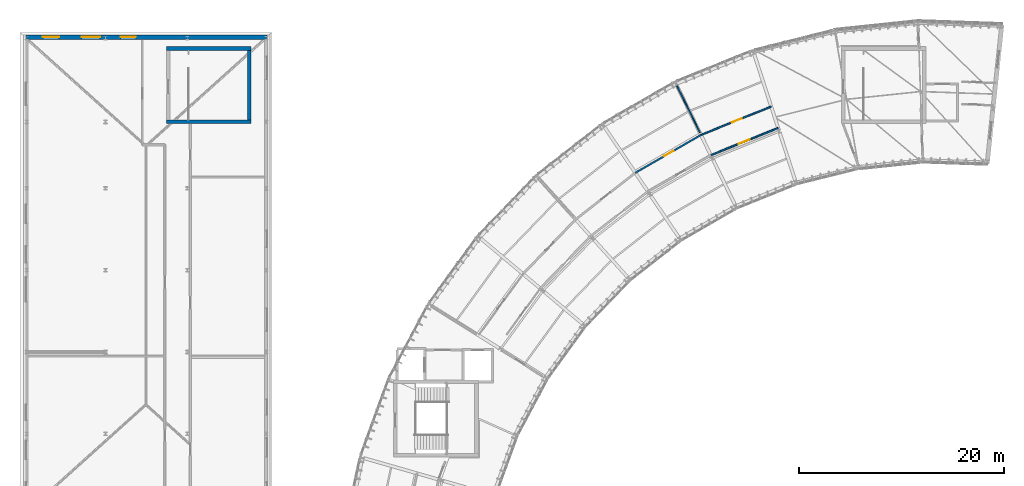
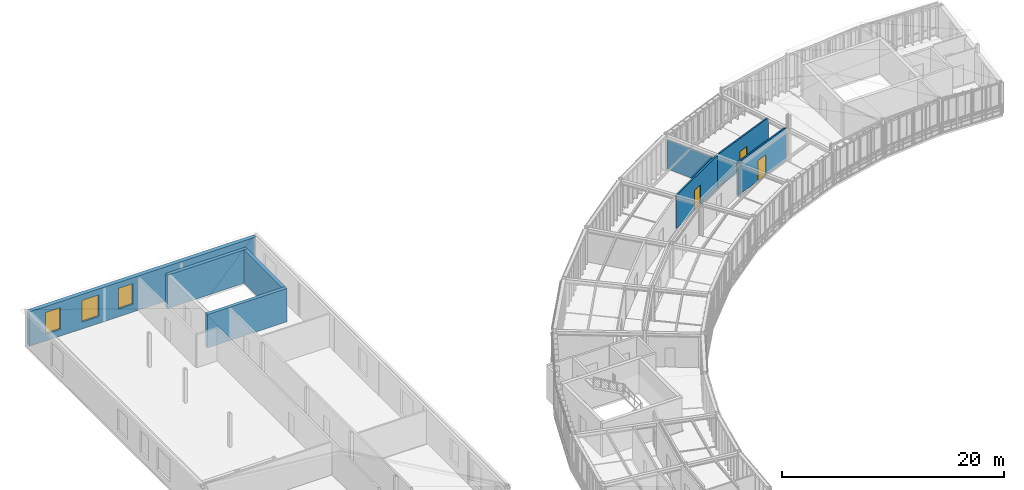
# One storey, part 32 of 42: 8 walls, 3 doors, 3 windows, 6 openings.
"""IFC4 building model written with IfcOpenShell, lengths in metres."""

from ifc_helpers import new_model, si_unit, direction, frame, frame_2d, origin, place, context, subcontext, project, spatial, rectangle, extrude, material, layer, layer_set, type_object, element, fill, save


model = new_model("IFC4")

# Units and contexts
model_context = context("Model", 3, precision=1e-05, world=origin(), true_north=direction((0.0, 1.0)))
body_context = subcontext(model_context, "Body", "Model", "MODEL_VIEW")
ifc_project = project(units=[si_unit("LENGTHUNIT", "METRE"), si_unit("AREAUNIT", "SQUARE_METRE"), si_unit("VOLUMEUNIT", "CUBIC_METRE"), si_unit("PLANEANGLEUNIT", "RADIAN"), si_unit("MASSUNIT", "GRAM", prefix="KILO"), si_unit("THERMODYNAMICTEMPERATUREUNIT", "KELVIN"), si_unit("POWERUNIT", "WATT")], contexts=[model_context])

# Site, building, storey
site_placement = place(None, origin())
site = spatial("IfcSite", under=ifc_project, at=site_placement, CompositionType="ELEMENT")
building_placement = place(site_placement, origin())
building = spatial("IfcBuilding", under=site, at=building_placement, Name="Solvatero Civic Police Headquarters", CompositionType="ELEMENT")
storey_placement = place(building_placement, frame((0.0, 0.0, 21.60009765625)))
storey = spatial("IfcBuildingStorey", under=building, at=storey_placement, Name="L05", CompositionType="ELEMENT", Elevation=21.60009765625)

# Wall, openings, windows
ifc_material_1 = material(Name="Cream Limestone Ashlar", Category="masonry")
ifc_layer_1 = layer(ifc_material_1, 0.419921875)
ifc_layer_set_1 = layer_set([ifc_layer_1], Name="Cream Limestone Ashlar")
wall_type_1 = type_object("IfcWallType", Name="WL-EXT-LIME-420", PredefinedType="SOLIDWALL", material=ifc_layer_set_1)
wall_1_placement = place(storey_placement, frame((4.719970703125, 83.2900390625, 0.0), z_axis=(0.0, 0.0, 1.0), x_axis=(1.0, 0.0, 0.0)))
wall_1 = element("IfcWall", 1, at=wall_1_placement, inside=storey, type_object=wall_type_1, Name="Exterior Wall WLE-L05-V6-N", PredefinedType="SOLIDWALL", context=body_context, shape_type="SweptSolid", body=[
    extrude(rectangle(XDim=23.56005859375, YDim=0.419921875, at=frame_2d((11.780029296875, 0.0))), origin(), (0.0, 0.0, 1.0), 3.77978515625),
])
opening_1_placement = place(wall_1_placement, frame((1.64990234375, 0.0, 0.739990234375)))
opening_1 = element("IfcOpeningElement", 2, at=opening_1_placement, cuts=wall_1, Name="Opening W-04", PredefinedType="OPENING", context=body_context, shape_type="SweptSolid", body=[
    extrude(rectangle(XDim=1.60009765625, YDim=2.39990234375, at=frame_2d((0.800048828125, 1.199951171875))), frame((0.0, 0.219970703125, 0.0), z_axis=(0.0, -1.0, 0.0), x_axis=(1.0, 0.0, 0.0)), (0.0, 0.0, 1.0), 0.43994140625),
])
opening_2_placement = place(wall_1_placement, frame((5.449951171875, 0.0, 0.739990234375)))
opening_2 = element("IfcOpeningElement", 3, at=opening_2_placement, cuts=wall_1, Name="Opening W-05", PredefinedType="OPENING", context=body_context, shape_type="SweptSolid", body=[
    extrude(rectangle(XDim=1.800048828125, YDim=2.39990234375, at=frame_2d((0.89990234375, 1.199951171875))), frame((0.0, 0.219970703125, 0.0), z_axis=(0.0, -1.0, 0.0), x_axis=(1.0, 0.0, 0.0)), (0.0, 0.0, 1.0), 0.43994140625),
])
opening_3_placement = place(wall_1_placement, frame((9.25, 0.0, 0.840087890625)))
opening_3 = element("IfcOpeningElement", 4, at=opening_3_placement, cuts=wall_1, Name="Opening W-03", PredefinedType="OPENING", context=body_context, shape_type="SweptSolid", body=[
    extrude(rectangle(XDim=1.5, YDim=2.300048828125, at=frame_2d((0.75, 1.14990234375))), frame((0.0, 0.219970703125, 0.0), z_axis=(0.0, -1.0, 0.0), x_axis=(1.0, 0.0, 0.0)), (0.0, 0.0, 1.0), 0.43994140625),
])
ifc_material_2 = material(Name="Anodized Bronze Aluminium", Category="aluminium")
window_type_1 = type_object("IfcWindowType", Name="WN-CL-150x230", PartitioningType="SINGLE_PANEL", PredefinedType="WINDOW", material=ifc_material_2)
window_1_placement = place(opening_3_placement, origin())
window_1 = element("IfcWindow", 5, at=window_1_placement, inside=storey, type_object=window_type_1, Name="Exterior Window 0142", OverallHeight=2.300048828125, OverallWidth=1.5, PartitioningType="SINGLE_PANEL", PredefinedType="WINDOW", context=body_context, shape_type="SweptSolid", body=[
    extrude(rectangle(XDim=1.5, YDim=2.300048828125, at=frame_2d((0.75, 1.14990234375))), frame((0.0, 0.030029296875, 0.0), z_axis=(0.0, -1.0, 0.0), x_axis=(1.0, 0.0, 0.0)), (0.0, 0.0, 1.0), 0.06005859375),
])
fill(opening_3, window_1)
window_type_2 = type_object("IfcWindowType", Name="WN-CL-160x240", PartitioningType="SINGLE_PANEL", PredefinedType="WINDOW", material=ifc_material_2)
window_2_placement = place(opening_1_placement, origin())
window_2 = element("IfcWindow", 6, at=window_2_placement, inside=storey, type_object=window_type_2, Name="Exterior Window 0140", OverallHeight=2.39990234375, OverallWidth=1.60009765625, PartitioningType="SINGLE_PANEL", PredefinedType="WINDOW", context=body_context, shape_type="SweptSolid", body=[
    extrude(rectangle(XDim=1.60009765625, YDim=2.39990234375, at=frame_2d((0.800048828125, 1.199951171875))), frame((0.0, 0.030029296875, 0.0), z_axis=(0.0, -1.0, 0.0), x_axis=(1.0, 0.0, 0.0)), (0.0, 0.0, 1.0), 0.06005859375),
])
fill(opening_1, window_2)
window_type_3 = type_object("IfcWindowType", Name="WN-CL-180x240", PartitioningType="SINGLE_PANEL", PredefinedType="WINDOW", material=ifc_material_2)
window_3_placement = place(opening_2_placement, origin())
window_3 = element("IfcWindow", 7, at=window_3_placement, inside=storey, type_object=window_type_3, Name="Exterior Window 0141", OverallHeight=2.39990234375, OverallWidth=1.800048828125, PartitioningType="SINGLE_PANEL", PredefinedType="WINDOW", context=body_context, shape_type="SweptSolid", body=[
    extrude(rectangle(XDim=1.800048828125, YDim=2.39990234375, at=frame_2d((0.89990234375, 1.199951171875))), frame((0.0, 0.030029296875, 0.0), z_axis=(0.0, -1.0, 0.0), x_axis=(1.0, 0.0, 0.0)), (0.0, 0.0, 1.0), 0.06005859375),
])
fill(opening_2, window_3)

# Wall
ifc_material_3 = material(Name="Gypsum Acoustic Stud", Category="gypsum")
ifc_layer_2 = layer(ifc_material_3, 0.1201171875)
ifc_layer_set_2 = layer_set([ifc_layer_2], Name="Gypsum Acoustic Stud")
wall_type_2 = type_object("IfcWallType", Name="WL-PTN-120", PredefinedType="PARTITIONING", material=ifc_layer_set_2)
wall_2_placement = place(storey_placement, frame((70.61279296875, 73.95068359375, 0.0), z_axis=(0.0, 0.0, 1.0), x_axis=(-0.438355450259, 0.898801701839, 0.0)))
element("IfcWall", 8, at=wall_2_placement, inside=storey, type_object=wall_type_2, Name="Interior Partition WLP-L05-ARC-RAD-B04", PredefinedType="PARTITIONING", context=body_context, shape_type="SweptSolid", body=[
    extrude(rectangle(XDim=5.150146484375, YDim=0.1201171875, at=frame_2d((2.5751953125, 0.0))), origin(), (0.0, 0.0, 1.0), 3.18994140625),
])

# Wall, opening, door
ifc_layer_3 = layer(ifc_material_3, 0.14990234375)
ifc_layer_set_3 = layer_set([ifc_layer_3], Name="Gypsum Acoustic Stud")
wall_type_3 = type_object("IfcWallType", Name="WL-PTN-150", PredefinedType="PARTITIONING", material=ifc_layer_set_3)
wall_3_placement = place(storey_placement, frame((78.27099609375, 74.40869140625, 0.0), z_axis=(0.0, 0.0, 1.0), x_axis=(-0.927181218568, -0.374613117677, 0.0)))
wall_3 = element("IfcWall", 9, at=wall_3_placement, inside=storey, type_object=wall_type_3, Name="Interior Partition WLP-L05-ARC-CIN-B04", PredefinedType="PARTITIONING", context=body_context, shape_type="SweptSolid", body=[
    extrude(rectangle(XDim=7.10107421875, YDim=0.14990234375, at=frame_2d((3.550537109375, 0.0))), origin(), (0.0, 0.0, 1.0), 3.619873046875),
])
opening_4_placement = place(wall_3_placement, frame((2.98291015625, 0.0, 0.0)))
opening_4 = element("IfcOpeningElement", 10, at=opening_4_placement, cuts=wall_3, Name="Opening ID-11", PredefinedType="OPENING", context=body_context, shape_type="SweptSolid", body=[
    extrude(rectangle(XDim=1.179931640625, YDim=2.239990234375, at=frame_2d((0.58984375, 1.1201171875))), frame((0.0, 0.0849609375, 0.0), z_axis=(0.0, -1.0, 0.0), x_axis=(1.0, 0.0, 0.0)), (0.0, 0.0, 1.0), 0.169921875),
])
ifc_material_4 = material(Name="Powder-Coated Steel", Category="steel")
door_type_1 = type_object("IfcDoorType", Name="DR-COR-118x224", OperationType="NOTDEFINED", PredefinedType="DOOR", material=ifc_material_4)
door_1_placement = place(opening_4_placement, origin())
door_1 = element("IfcDoor", 11, at=door_1_placement, inside=storey, type_object=door_type_1, Name="Interior Door DR-L05-ARC-IN-B04", OperationType="SINGLE_SWING_LEFT", OverallHeight=2.239990234375, OverallWidth=1.179931640625, PredefinedType="DOOR", context=body_context, shape_type="SweptSolid", body=[
    extrude(rectangle(XDim=1.179931640625, YDim=2.239990234375, at=frame_2d((0.58984375, 1.1201171875))), frame((0.0, 0.02490234375, 0.0), z_axis=(0.0, -1.0, 0.0), x_axis=(1.0, 0.0, 0.0)), (0.0, 0.0, 1.0), 0.050048828125),
])
fill(opening_4, door_1)

wall_4_placement = place(storey_placement, frame((77.59130859375, 76.501220703125, 0.0), z_axis=(0.0, 0.0, 1.0), x_axis=(-0.927187035022, -0.374598721418, 0.0)))
wall_4 = element("IfcWall", 12, at=wall_4_placement, inside=storey, type_object=wall_type_3, Name="Interior Partition WLP-L05-ARC-COUT-B04", PredefinedType="PARTITIONING", context=body_context, shape_type="SweptSolid", body=[
    extrude(rectangle(XDim=7.408203125, YDim=0.14990234375, at=frame_2d((3.7041015625, 0.0))), origin(), (0.0, 0.0, 1.0), 3.619873046875),
])
opening_5_placement = place(wall_4_placement, frame((3.111083984375, 0.0, 0.0)))
opening_5 = element("IfcOpeningElement", 13, at=opening_5_placement, cuts=wall_4, Name="Opening ID-06", PredefinedType="OPENING", context=body_context, shape_type="SweptSolid", body=[
    extrude(rectangle(XDim=1.02001953125, YDim=2.179931640625, at=frame_2d((0.510009765625, 1.08984375))), frame((0.0, 0.0849609375, 0.0), z_axis=(0.0, -1.0, 0.0), x_axis=(1.0, 0.0, 0.0)), (0.0, 0.0, 1.0), 0.169921875),
])
door_type_2 = type_object("IfcDoorType", Name="DR-LAB-102x218", OperationType="NOTDEFINED", PredefinedType="DOOR", material=ifc_material_4)
door_2_placement = place(opening_5_placement, origin())
door_2 = element("IfcDoor", 14, at=door_2_placement, inside=storey, type_object=door_type_2, Name="Interior Door DR-L05-ARC-OUT-B04", OperationType="SINGLE_SWING_RIGHT", OverallHeight=2.179931640625, OverallWidth=1.02001953125, PredefinedType="DOOR", context=body_context, shape_type="SweptSolid", body=[
    extrude(rectangle(XDim=1.02001953125, YDim=2.179931640625, at=frame_2d((0.510009765625, 1.08984375))), frame((0.0, 0.02490234375, 0.0), z_axis=(0.0, -1.0, 0.0), x_axis=(1.0, 0.0, 0.0)), (0.0, 0.0, 1.0), 0.050048828125),
])
fill(opening_5, door_2)

ifc_material_5 = material(Name="Concrete Blockwork", Category="masonry")
ifc_layer_4 = layer(ifc_material_5, 0.1650390625)
ifc_layer_set_4 = layer_set([ifc_layer_4], Name="Concrete Blockwork")
wall_type_4 = type_object("IfcWallType", Name="WL-PTN-165", PredefinedType="PARTITIONING", material=ifc_layer_set_4)
wall_5_placement = place(storey_placement, frame((70.722412109375, 73.72607421875, 0.0), z_axis=(0.0, 0.0, 1.0), x_axis=(-0.866019843608, -0.500009630384, 0.0)))
wall_5 = element("IfcWall", 15, at=wall_5_placement, inside=storey, type_object=wall_type_4, Name="Interior Partition WLP-L05-ARC-COUT-B05", PredefinedType="PARTITIONING", context=body_context, shape_type="SweptSolid", body=[
    extrude(rectangle(XDim=7.407958984375, YDim=0.1650390625, at=frame_2d((3.7041015625, 0.0))), origin(), (0.0, 0.0, 1.0), 3.619873046875),
])
opening_6_placement = place(wall_5_placement, frame((3.111083984375, 0.0, 0.0)))
opening_6 = element("IfcOpeningElement", 16, at=opening_6_placement, cuts=wall_5, Name="Opening ID-07", PredefinedType="OPENING", context=body_context, shape_type="SweptSolid", body=[
    extrude(rectangle(XDim=1.050048828125, YDim=2.199951171875, at=frame_2d((0.52490234375, 1.10009765625))), frame((0.0, 0.092529296875, 0.0), z_axis=(0.0, -1.0, 0.0), x_axis=(1.0, 0.0, 0.0)), (0.0, 0.0, 1.0), 0.18505859375),
])
door_type_3 = type_object("IfcDoorType", Name="DR-LAB-105x220", OperationType="NOTDEFINED", PredefinedType="DOOR", material=ifc_material_4)
door_3_placement = place(opening_6_placement, origin())
door_3 = element("IfcDoor", 17, at=door_3_placement, inside=storey, type_object=door_type_3, Name="Interior Door DR-L05-ARC-OUT-B05", OperationType="SINGLE_SWING_RIGHT", OverallHeight=2.199951171875, OverallWidth=1.050048828125, PredefinedType="DOOR", context=body_context, shape_type="SweptSolid", body=[
    extrude(rectangle(XDim=1.050048828125, YDim=2.199951171875, at=frame_2d((0.52490234375, 1.10009765625))), frame((0.0, 0.02490234375, 0.0), z_axis=(0.0, -1.0, 0.0), x_axis=(1.0, 0.0, 0.0)), (0.0, 0.0, 1.0), 0.050048828125),
])
fill(opening_6, door_3)

# Walls
ifc_material_6 = material(Name="Concrete C40/50", Category="concrete")
ifc_layer_5 = layer(ifc_material_6, 0.35009765625)
ifc_layer_set_5 = layer_set([ifc_layer_5], Name="Concrete C40/50")
wall_type_5 = type_object("IfcWallType", Name="WL-SHR-350", PredefinedType="SHEAR", material=ifc_layer_set_5)
for number, where, z_axis, x_axis, name in (
    (18, (18.449951171875, 75.02490234375, 0.0), (0.0, 0.0, 1.0), (1.0, 0.0, 0.0), "Core C4 Shear Wall S L05"),
    (19, (18.449951171875, 82.175048828125, 0.0), (0.0, 0.0, 1.0), (1.0, 0.0, 0.0), "Core C4 Shear Wall N L05"),
):
    element("IfcWall", number, at=place(storey_placement, frame(where, z_axis=z_axis, x_axis=x_axis)), inside=storey, type_object=wall_type_5, Name=name, PredefinedType="SHEAR", context=body_context, shape_type="SweptSolid", body=[
        extrude(rectangle(XDim=8.300048828125, YDim=0.35009765625, at=frame_2d((4.14990234375, 0.0))), origin(), (0.0, 0.0, 1.0), 3.659912109375),
    ])
wall_6_placement = place(storey_placement, frame((26.574951171875, 75.199951171875, 0.0), z_axis=(0.0, 0.0, 1.0), x_axis=(0.0, 1.0, 0.0)))
element("IfcWall", 20, at=wall_6_placement, inside=storey, type_object=wall_type_5, Name="Core C4 Shear Wall E L05", PredefinedType="SHEAR", context=body_context, shape_type="SweptSolid", body=[
    extrude(rectangle(XDim=6.800048828125, YDim=0.35009765625, at=frame_2d((3.39990234375, 0.0))), origin(), (0.0, 0.0, 1.0), 3.659912109375),
])

save(model, "model.ifc")
